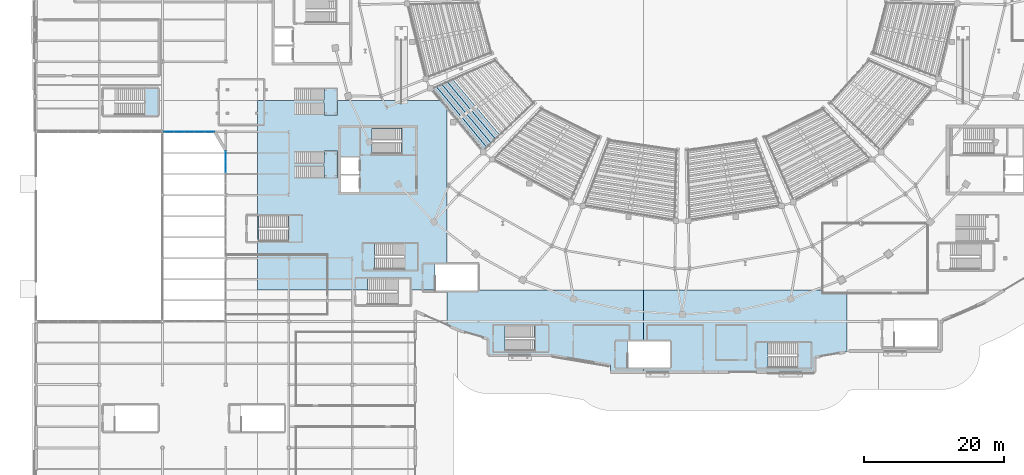
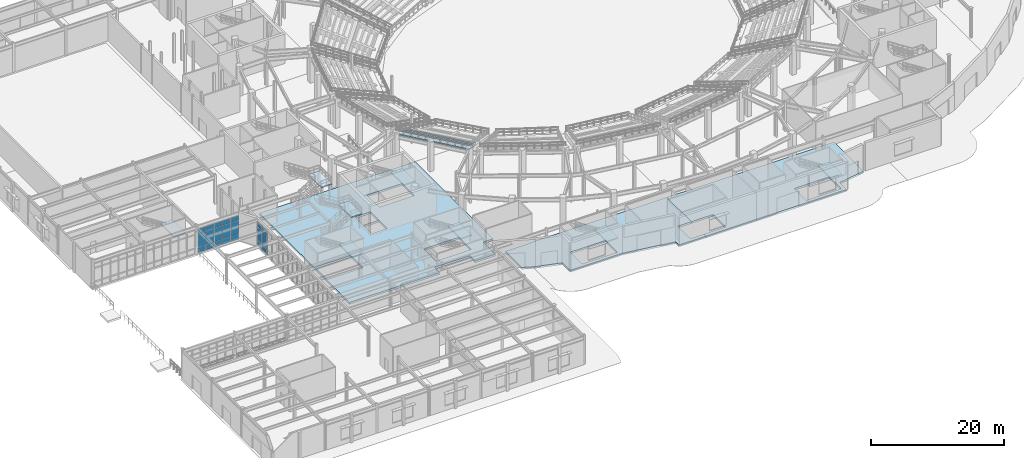
# One storey, part 42 of 79: 21 plates, 15 slabs, 10 elements without a shape of their own.
"""IFC4 building model written with IfcOpenShell, lengths in metres."""

import ifcopenshell
import ifcopenshell.guid

model = None  # the IFC model being written
_history = None  # IfcOwnerHistory: only IFC2X3 demands one
_inside = {}  # id of a spatial element -> (the spatial element, [elements in it])
_under = {}  # id of a project, library or spatial element -> (it, [spatial elements below it])
_declared = {}  # id of a project -> (the project, [libraries it declares])
_typed = {}  # id of a type object -> (the type object, [elements of that type])
_made_of = {}  # id of a material, layer set ... -> (it, [elements and type objects made of it])


def new_model(schema):
    """Start an empty IFC model of exactly this schema.

    Asked for "IFC4X3", IfcOpenShell would pick the latest addendum, in which some entities
    have other attributes; the version numbers below select the first issue.
    IFC2X3 requires an IfcOwnerHistory on every rooted entity: one is made here for all.
    """
    global model, _history
    if schema == "IFC4X3":
        model = ifcopenshell.file(schema_version=(4, 3, 0, 0))
    else:
        model = ifcopenshell.file(schema=schema)
    _inside.clear()
    _under.clear()
    _declared.clear()
    _typed.clear()
    _made_of.clear()
    _history = None
    if model.schema == "IFC2X3":
        org = make("IfcOrganization", Name="unknown")
        user = make(
            "IfcPersonAndOrganization",
            ThePerson=make("IfcPerson", FamilyName="unknown"),
            TheOrganization=org,
        )
        app = make(
            "IfcApplication",
            ApplicationDeveloper=org,
            Version="unknown",
            ApplicationFullName="unknown",
            ApplicationIdentifier="unknown",
        )
        _history = make(
            "IfcOwnerHistory",
            OwningUser=user,
            OwningApplication=app,
            ChangeAction="ADDED",
            CreationDate=0,
        )
    return model


def make(cls, **values):
    """One entity of the class cls with the attributes given. An attribute that is None is left unset."""
    return model.create_entity(
        cls, **{name: value for name, value in values.items() if value is not None}
    )


def rooted(cls, **values):
    """An entity with a GlobalId (a new one), such as an element, a storey or a relation."""
    return make(cls, GlobalId=ifcopenshell.guid.new(), OwnerHistory=_history, **values)


def si_unit(unit_type, name, prefix=None):
    """IfcSIUnit, for example si_unit("LENGTHUNIT", "METRE", prefix="MILLI")."""
    return make("IfcSIUnit", UnitType=unit_type, Prefix=prefix, Name=name)


def assignment(units):
    """IfcUnitAssignment: the units of a project."""
    return None if units is None else make("IfcUnitAssignment", Units=units)


def point(xyz):
    """IfcCartesianPoint."""
    return None if xyz is None else make("IfcCartesianPoint", Coordinates=xyz)


def direction(xyz):
    """IfcDirection."""
    return None if xyz is None else make("IfcDirection", DirectionRatios=xyz)


def frame(location, z_axis=None, x_axis=None):
    """IfcAxis2Placement3D, a coordinate frame: its origin and axes. An axis left out is left unset."""
    return make(
        "IfcAxis2Placement3D",
        Location=point(location),
        Axis=direction(z_axis),
        RefDirection=direction(x_axis),
    )


def frame_2d(location, x_axis=None):
    """IfcAxis2Placement2D, a coordinate frame in the plane: its origin and x axis."""
    return make(
        "IfcAxis2Placement2D", Location=point(location), RefDirection=direction(x_axis)
    )


def origin():
    """The frame at (0, 0, 0) with its axes left unset."""
    return frame((0.0, 0.0, 0.0))


def origin_2d():
    """The frame at (0, 0) in the plane with its x axis left unset."""
    return frame_2d((0.0, 0.0))


def place(relative_to, where):
    """IfcLocalPlacement: puts the frame where relative to a parent placement (None: the world)."""
    return make(
        "IfcLocalPlacement", PlacementRelTo=relative_to, RelativePlacement=where
    )


def context(
    kind, dimensions, precision=None, world=None, true_north=None, identifier=None
):
    """IfcGeometricRepresentationContext, for example the 3D "Model" context."""
    return make(
        "IfcGeometricRepresentationContext",
        ContextIdentifier=identifier,
        ContextType=kind,
        CoordinateSpaceDimension=dimensions,
        Precision=precision,
        WorldCoordinateSystem=world,
        TrueNorth=true_north,
    )


def subcontext(parent, identifier, kind, view, scale=None):
    """IfcGeometricRepresentationSubContext, for example "Body" below "Model"."""
    return make(
        "IfcGeometricRepresentationSubContext",
        ContextIdentifier=identifier,
        ContextType=kind,
        ParentContext=parent,
        TargetScale=scale,
        TargetView=view,
    )


def project(units=None, contexts=None):
    """IfcProject with its units and contexts."""
    return rooted(
        "IfcProject",
        Name="project",
        RepresentationContexts=contexts,
        UnitsInContext=assignment(units),
    )


def spatial(cls, under=None, at=None, **own):
    """A site, building, storey or space (cls), placed at a placement, below another one or the project."""
    s = rooted(cls, ObjectPlacement=at, **own)
    if under is not None:
        _under.setdefault(under.id(), (under, []))[1].append(s)
    return s


def polyline(points):
    """IfcPolyline through the points."""
    return make("IfcPolyline", Points=[point(p) for p in points])


def profile(cls, at=None, kind="AREA", **sizes):
    """A parametric profile (cls). Its sizes go by their IFC names, for example OverallWidth=200.0."""
    return make(cls, ProfileType=kind, Position=at, **sizes)


def rectangle(**sizes):
    """IfcRectangleProfileDef."""
    return profile("IfcRectangleProfileDef", **sizes)


def outline(outer, holes=None, kind="AREA"):
    """IfcArbitraryClosedProfileDef: a profile drawn as a closed curve; with holes, ...WithVoids."""
    if holes is None:
        return make("IfcArbitraryClosedProfileDef", ProfileType=kind, OuterCurve=outer)
    return make(
        "IfcArbitraryProfileDefWithVoids",
        ProfileType=kind,
        OuterCurve=outer,
        InnerCurves=holes,
    )


def extrude(swept, where, along, depth):
    """IfcExtrudedAreaSolid: the profile swept, set in the frame where, extruded along a direction by depth."""
    return make(
        "IfcExtrudedAreaSolid",
        SweptArea=swept,
        Position=where,
        ExtrudedDirection=direction(along),
        Depth=depth,
    )


def shape(context_of_items, identifier, shape_type, items):
    """IfcShapeRepresentation: the items that make up one representation, for example the "Body"."""
    return make(
        "IfcShapeRepresentation",
        ContextOfItems=context_of_items,
        RepresentationIdentifier=identifier,
        RepresentationType=shape_type,
        Items=items,
    )


def material(Name=None, Category=None):
    """IfcMaterial."""
    return make("IfcMaterial", Name=Name, Category=Category)


def layer(
    of_material, thickness, ventilated=None, Name=None, Category=None, Priority=None
):
    """IfcMaterialLayer: one layer of a wall or slab, of a material (None: an air gap)."""
    return make(
        "IfcMaterialLayer",
        Material=of_material,
        LayerThickness=thickness,
        IsVentilated=ventilated,
        Name=Name,
        Category=Category,
        Priority=Priority,
    )


def layer_set(layers, Name=None):
    """IfcMaterialLayerSet."""
    return make("IfcMaterialLayerSet", MaterialLayers=layers, LayerSetName=Name)


def made_of(thing, what):
    """Note that an element or type object is made of a material, layer set ...; save() writes the relation."""
    if what is not None:
        _made_of.setdefault(what.id(), (what, []))[1].append(thing)
    return thing


def type_object(cls, material=None, **own):
    """A type object (cls), such as IfcWallType, which elements share."""
    return made_of(rooted(cls, **own), material)


def element(
    cls,
    number,
    at=None,
    inside=None,
    cuts=None,
    type_object=None,
    material=None,
    context=None,
    identifier="Body",
    shape_type=None,
    held_by="IfcProductDefinitionShape",
    body=None,
    shapes=None,
    **own,
):
    """One element of the class cls, such as IfcWall. Its Tag is "e" and its number.

    at: its placement. inside: the storey or other place that contains it. cuts: it is an
    opening in that element (IfcRelVoidsElement). A single representation is given by context,
    identifier, shape_type and body (its items); several are given by shapes. held_by: the class
    of the entity that holds the representations. save() writes the other relations.
    """
    e = rooted(cls, Tag="e%d" % number, ObjectPlacement=at, **own)
    if body is not None:
        shapes = [shape(context, identifier, shape_type, body)]
    if shapes is not None:
        e.Representation = make(held_by, Representations=shapes)
    if inside is not None:
        _inside.setdefault(inside.id(), (inside, []))[1].append(e)
    if cuts is not None:
        rooted(
            "IfcRelVoidsElement", RelatingBuildingElement=cuts, RelatedOpeningElement=e
        )
    if type_object is not None:
        _typed.setdefault(type_object.id(), (type_object, []))[1].append(e)
    return made_of(e, material)


def aggregate(whole, parts):
    """IfcRelAggregates: a whole, such as a stair, and the parts it consists of."""
    return rooted("IfcRelAggregates", RelatingObject=whole, RelatedObjects=parts)


def save(model, path):
    """Write the relations noted so far, then the file.

    IfcRelAggregates (storeys below a building ...), IfcRelContainedInSpatialStructure (elements
    in a storey), IfcRelDefinesByType, IfcRelAssociatesMaterial and IfcRelDeclares: one each for
    every whole, place, type object, material and project.
    """
    for whole, parts in _under.values():
        aggregate(whole, parts)
    for where, things in _inside.values():
        rooted(
            "IfcRelContainedInSpatialStructure",
            RelatedElements=things,
            RelatingStructure=where,
        )
    for kind, things in _typed.values():
        rooted("IfcRelDefinesByType", RelatedObjects=things, RelatingType=kind)
    for what, things in _made_of.values():
        rooted("IfcRelAssociatesMaterial", RelatedObjects=things, RelatingMaterial=what)
    for by, libraries in _declared.values():
        rooted("IfcRelDeclares", RelatingContext=by, RelatedDefinitions=libraries)
    model.write(path)


model = new_model("IFC4")

# Units and contexts
model_context = context("Model", 3, precision=1e-05, world=origin(), true_north=direction((0.0, 1.0)))
body_context = subcontext(model_context, "Body", "Model", "MODEL_VIEW")
ifc_project = project(units=[si_unit("LENGTHUNIT", "METRE"), si_unit("AREAUNIT", "SQUARE_METRE"), si_unit("VOLUMEUNIT", "CUBIC_METRE"), si_unit("PLANEANGLEUNIT", "RADIAN"), si_unit("MASSUNIT", "GRAM", prefix="KILO")], contexts=[model_context])

# Site, building, storey
site_placement = place(None, origin())
site = spatial("IfcSite", under=ifc_project, at=site_placement, CompositionType="ELEMENT")
building_placement = place(site_placement, origin())
building = spatial("IfcBuilding", under=site, at=building_placement, Name="Glasvene Arena", CompositionType="ELEMENT")
storey_placement = place(building_placement, origin())
storey = spatial("IfcBuildingStorey", under=building, at=storey_placement, Name="L00", CompositionType="ELEMENT", Elevation=0.0)

# Curtain wall, plates
ifc_material_1 = material(Name="Low-emissivity laminated double glazing", Category="glass")
curtain_wall_type_1 = type_object("IfcCurtainWallType", Name="CW-FAC-L00-715x445", PredefinedType="USERDEFINED", material=ifc_material_1)
curtain_wall_1_placement = place(storey_placement, frame((25.379638671875, 54.0, 0.0)))
curtain_wall_1 = element("IfcCurtainWall", 1, at=curtain_wall_1_placement, inside=storey, type_object=curtain_wall_type_1, Name="Unitised curtain wall CW-F-L00-180-218-540-1", ObjectType="CURTAIN WALL", PredefinedType="USERDEFINED")
ifc_layer_1 = layer(ifc_material_1, 0.028076171875)
ifc_layer_set_1 = layer_set([ifc_layer_1], Name="Low-emissivity laminated double glazing")
plate_type = type_object("IfcPlateType", Name="CW-GLZ-28", PredefinedType="CURTAIN_PANEL", material=ifc_layer_set_1)
plate_1_placement = place(storey_placement, frame((24.65185546875, 54.0, 0.10986328125), z_axis=(0.0, 0.0, 1.0), x_axis=(-1.0, 0.0, 0.0)))
plate_1 = element("IfcPlate", 2, at=plate_1_placement, type_object=plate_type, Name="CW-001 panel 1.1", PredefinedType="CURTAIN_PANEL", context=body_context, shape_type="SweptSolid", body=[
    extrude(rectangle(XDim=1.355224609375, YDim=0.028076171875, at=origin_2d()), origin(), (0.0, 0.0, 1.0), 0.965087890625),
])
plate_2_placement = place(storey_placement, frame((24.65185546875, 54.0, 1.125), z_axis=(0.0, 0.0, 1.0), x_axis=(-1.0, 0.0, 0.0)))
plate_2 = element("IfcPlate", 3, at=plate_2_placement, type_object=plate_type, Name="CW-001 panel 1.2", PredefinedType="CURTAIN_PANEL", context=body_context, shape_type="SweptSolid", body=[
    extrude(rectangle(XDim=1.355224609375, YDim=0.028076171875, at=origin_2d()), origin(), (0.0, 0.0, 1.0), 2.45703125),
])
plate_3_placement = place(storey_placement, frame((24.65185546875, 54.0, 3.6318359375), z_axis=(0.0, 0.0, 1.0), x_axis=(-1.0, 0.0, 0.0)))
plate_3 = element("IfcPlate", 4, at=plate_3_placement, type_object=plate_type, Name="CW-001 panel 1.3", PredefinedType="CURTAIN_PANEL", context=body_context, shape_type="SweptSolid", body=[
    extrude(rectangle(XDim=1.355224609375, YDim=0.028076171875, at=origin_2d()), origin(), (0.0, 0.0, 1.0), 0.824951171875),
])
plate_4_placement = place(storey_placement, frame((23.234130859375, 54.0, 0.10986328125), z_axis=(0.0, 0.0, 1.0), x_axis=(-1.0, 0.0, 0.0)))
plate_4 = element("IfcPlate", 5, at=plate_4_placement, type_object=plate_type, Name="CW-001 panel 2.1", PredefinedType="CURTAIN_PANEL", context=body_context, shape_type="SweptSolid", body=[
    extrude(rectangle(XDim=1.38037109375, YDim=0.028076171875, at=origin_2d()), origin(), (0.0, 0.0, 1.0), 0.965087890625),
])
plate_5_placement = place(storey_placement, frame((23.234130859375, 54.0, 1.125), z_axis=(0.0, 0.0, 1.0), x_axis=(-1.0, 0.0, 0.0)))
plate_5 = element("IfcPlate", 6, at=plate_5_placement, type_object=plate_type, Name="CW-001 panel 2.2", PredefinedType="CURTAIN_PANEL", context=body_context, shape_type="SweptSolid", body=[
    extrude(rectangle(XDim=1.38037109375, YDim=0.028076171875, at=origin_2d()), origin(), (0.0, 0.0, 1.0), 2.45703125),
])
plate_6_placement = place(storey_placement, frame((23.234130859375, 54.0, 3.6318359375), z_axis=(0.0, 0.0, 1.0), x_axis=(-1.0, 0.0, 0.0)))
plate_6 = element("IfcPlate", 7, at=plate_6_placement, type_object=plate_type, Name="CW-001 panel 2.3", PredefinedType="CURTAIN_PANEL", context=body_context, shape_type="SweptSolid", body=[
    extrude(rectangle(XDim=1.38037109375, YDim=0.028076171875, at=origin_2d()), origin(), (0.0, 0.0, 1.0), 0.824951171875),
])
plate_7_placement = place(storey_placement, frame((21.803955078125, 54.0, 0.10986328125), z_axis=(0.0, 0.0, 1.0), x_axis=(-1.0, 0.0, 0.0)))
plate_7 = element("IfcPlate", 8, at=plate_7_placement, type_object=plate_type, Name="CW-001 panel 3.1", PredefinedType="CURTAIN_PANEL", context=body_context, shape_type="SweptSolid", body=[
    extrude(rectangle(XDim=1.38037109375, YDim=0.028076171875, at=origin_2d()), origin(), (0.0, 0.0, 1.0), 0.965087890625),
])
plate_8_placement = place(storey_placement, frame((21.803955078125, 54.0, 1.125), z_axis=(0.0, 0.0, 1.0), x_axis=(-1.0, 0.0, 0.0)))
plate_8 = element("IfcPlate", 9, at=plate_8_placement, type_object=plate_type, Name="CW-001 panel 3.2", PredefinedType="CURTAIN_PANEL", context=body_context, shape_type="SweptSolid", body=[
    extrude(rectangle(XDim=1.38037109375, YDim=0.028076171875, at=origin_2d()), origin(), (0.0, 0.0, 1.0), 2.45703125),
])
plate_9_placement = place(storey_placement, frame((21.803955078125, 54.0, 3.6318359375), z_axis=(0.0, 0.0, 1.0), x_axis=(-1.0, 0.0, 0.0)))
plate_9 = element("IfcPlate", 10, at=plate_9_placement, type_object=plate_type, Name="CW-001 panel 3.3", PredefinedType="CURTAIN_PANEL", context=body_context, shape_type="SweptSolid", body=[
    extrude(rectangle(XDim=1.38037109375, YDim=0.028076171875, at=origin_2d()), origin(), (0.0, 0.0, 1.0), 0.824951171875),
])
plate_10_placement = place(storey_placement, frame((20.373779296875, 54.0, 0.10986328125), z_axis=(0.0, 0.0, 1.0), x_axis=(-1.0, 0.0, 0.0)))
plate_10 = element("IfcPlate", 11, at=plate_10_placement, type_object=plate_type, Name="CW-001 panel 4.1", PredefinedType="CURTAIN_PANEL", context=body_context, shape_type="SweptSolid", body=[
    extrude(rectangle(XDim=1.38037109375, YDim=0.028076171875, at=origin_2d()), origin(), (0.0, 0.0, 1.0), 0.965087890625),
])
plate_11_placement = place(storey_placement, frame((20.373779296875, 54.0, 1.125), z_axis=(0.0, 0.0, 1.0), x_axis=(-1.0, 0.0, 0.0)))
plate_11 = element("IfcPlate", 12, at=plate_11_placement, type_object=plate_type, Name="CW-001 panel 4.2", PredefinedType="CURTAIN_PANEL", context=body_context, shape_type="SweptSolid", body=[
    extrude(rectangle(XDim=1.38037109375, YDim=0.028076171875, at=origin_2d()), origin(), (0.0, 0.0, 1.0), 2.45703125),
])
plate_12_placement = place(storey_placement, frame((20.373779296875, 54.0, 3.6318359375), z_axis=(0.0, 0.0, 1.0), x_axis=(-1.0, 0.0, 0.0)))
plate_12 = element("IfcPlate", 13, at=plate_12_placement, type_object=plate_type, Name="CW-001 panel 4.3", PredefinedType="CURTAIN_PANEL", context=body_context, shape_type="SweptSolid", body=[
    extrude(rectangle(XDim=1.38037109375, YDim=0.028076171875, at=origin_2d()), origin(), (0.0, 0.0, 1.0), 0.824951171875),
])
plate_13_placement = place(storey_placement, frame((18.955810546875, 54.0, 0.10986328125), z_axis=(0.0, 0.0, 1.0), x_axis=(-1.0, 0.0, 0.0)))
plate_13 = element("IfcPlate", 14, at=plate_13_placement, type_object=plate_type, Name="CW-001 panel 5.1", PredefinedType="CURTAIN_PANEL", context=body_context, shape_type="SweptSolid", body=[
    extrude(rectangle(XDim=1.355224609375, YDim=0.028076171875, at=origin_2d()), origin(), (0.0, 0.0, 1.0), 0.965087890625),
])
plate_14_placement = place(storey_placement, frame((18.955810546875, 54.0, 1.125), z_axis=(0.0, 0.0, 1.0), x_axis=(-1.0, 0.0, 0.0)))
plate_14 = element("IfcPlate", 15, at=plate_14_placement, type_object=plate_type, Name="CW-001 panel 5.2", PredefinedType="CURTAIN_PANEL", context=body_context, shape_type="SweptSolid", body=[
    extrude(rectangle(XDim=1.355224609375, YDim=0.028076171875, at=origin_2d()), origin(), (0.0, 0.0, 1.0), 2.45703125),
])
plate_15_placement = place(storey_placement, frame((18.955810546875, 54.0, 3.6318359375), z_axis=(0.0, 0.0, 1.0), x_axis=(-1.0, 0.0, 0.0)))
plate_15 = element("IfcPlate", 16, at=plate_15_placement, type_object=plate_type, Name="CW-001 panel 5.3", PredefinedType="CURTAIN_PANEL", context=body_context, shape_type="SweptSolid", body=[
    extrude(rectangle(XDim=1.355224609375, YDim=0.028076171875, at=origin_2d()), origin(), (0.0, 0.0, 1.0), 0.824951171875),
])
aggregate(curtain_wall_1, [plate_1, plate_2, plate_3, plate_4, plate_5, plate_6, plate_7, plate_8, plate_9, plate_10, plate_11, plate_12, plate_13, plate_14, plate_15])

curtain_wall_type_2 = type_object("IfcCurtainWallType", Name="CW-FAC-L00-603x445", PredefinedType="USERDEFINED", material=ifc_material_1)
curtain_wall_2_placement = place(storey_placement, frame((27.0, 45.22607421875, 0.0)))
curtain_wall_2 = element("IfcCurtainWall", 17, at=curtain_wall_2_placement, inside=storey, type_object=curtain_wall_type_2, Name="Unitised curtain wall CW-F-L00-180-270-482-83", ObjectType="CURTAIN WALL", PredefinedType="USERDEFINED")
plate_16_placement = place(storey_placement, frame((27.0, 48.9970703125, 0.10986328125), z_axis=(0.0, 0.0, 1.0), x_axis=(0.0, 1.0, 0.0)))
plate_16 = element("IfcPlate", 18, at=plate_16_placement, type_object=plate_type, Name="CW-006 panel 3.1", PredefinedType="CURTAIN_PANEL", context=body_context, shape_type="SweptSolid", body=[
    extrude(rectangle(XDim=1.45849609375, YDim=0.028076171875, at=origin_2d()), origin(), (0.0, 0.0, 1.0), 0.965087890625),
])
plate_17_placement = place(storey_placement, frame((27.0, 48.9970703125, 1.125), z_axis=(0.0, 0.0, 1.0), x_axis=(0.0, 1.0, 0.0)))
plate_17 = element("IfcPlate", 19, at=plate_17_placement, type_object=plate_type, Name="CW-006 panel 3.2", PredefinedType="CURTAIN_PANEL", context=body_context, shape_type="SweptSolid", body=[
    extrude(rectangle(XDim=1.45849609375, YDim=0.028076171875, at=origin_2d()), origin(), (0.0, 0.0, 1.0), 2.45703125),
])
plate_18_placement = place(storey_placement, frame((27.0, 48.9970703125, 3.6318359375), z_axis=(0.0, 0.0, 1.0), x_axis=(0.0, 1.0, 0.0)))
plate_18 = element("IfcPlate", 20, at=plate_18_placement, type_object=plate_type, Name="CW-006 panel 3.3", PredefinedType="CURTAIN_PANEL", context=body_context, shape_type="SweptSolid", body=[
    extrude(rectangle(XDim=1.45849609375, YDim=0.028076171875, at=origin_2d()), origin(), (0.0, 0.0, 1.0), 0.824951171875),
])
plate_19_placement = place(storey_placement, frame((27.0, 50.492919921875, 0.10986328125), z_axis=(0.0, 0.0, 1.0), x_axis=(0.0, 1.0, 0.0)))
plate_19 = element("IfcPlate", 21, at=plate_19_placement, type_object=plate_type, Name="CW-006 panel 4.1", PredefinedType="CURTAIN_PANEL", context=body_context, shape_type="SweptSolid", body=[
    extrude(rectangle(XDim=1.433349609375, YDim=0.028076171875, at=origin_2d()), origin(), (0.0, 0.0, 1.0), 0.965087890625),
])
plate_20_placement = place(storey_placement, frame((27.0, 50.492919921875, 1.125), z_axis=(0.0, 0.0, 1.0), x_axis=(0.0, 1.0, 0.0)))
plate_20 = element("IfcPlate", 22, at=plate_20_placement, type_object=plate_type, Name="CW-006 panel 4.2", PredefinedType="CURTAIN_PANEL", context=body_context, shape_type="SweptSolid", body=[
    extrude(rectangle(XDim=1.433349609375, YDim=0.028076171875, at=origin_2d()), origin(), (0.0, 0.0, 1.0), 2.45703125),
])
plate_21_placement = place(storey_placement, frame((27.0, 50.492919921875, 3.6318359375), z_axis=(0.0, 0.0, 1.0), x_axis=(0.0, 1.0, 0.0)))
plate_21 = element("IfcPlate", 23, at=plate_21_placement, type_object=plate_type, Name="CW-006 panel 4.3", PredefinedType="CURTAIN_PANEL", context=body_context, shape_type="SweptSolid", body=[
    extrude(rectangle(XDim=1.433349609375, YDim=0.028076171875, at=origin_2d()), origin(), (0.0, 0.0, 1.0), 0.824951171875),
])
aggregate(curtain_wall_2, [plate_16, plate_17, plate_18, plate_19, plate_20, plate_21])

# Slabs
ifc_material_2 = material(Name="Concrete C40/50", Category="concrete")
ifc_layer_2 = layer(ifc_material_2, 0.360107421875)
ifc_layer_set_2 = layer_set([ifc_layer_2], Name="Concrete C40/50")
slab_type_1 = type_object("IfcSlabType", Name="SL-L00-360", PredefinedType="FLOOR", material=ifc_layer_set_2)
slab_1_placement = place(storey_placement, frame((74.419189453125, 24.5390625, -0.360107421875)))
element("IfcSlab", 24, at=slab_1_placement, inside=storey, type_object=slab_type_1, Name="Structural floor slab L00 sector 1-3 (18)", PredefinedType="FLOOR", context=body_context, shape_type="SweptSolid", body=[
    extrude(outline(polyline([(7.380859375, -3.765380859375), (7.341064453125, -3.76318359375), (-1.03955078125, -2.339111328125), (-10.019287109375, -2.339111328125), (-10.019287109375, -0.02490234375), (-14.038330078125, 1.1533203125), (-15.919189453125, 1.968994140625), (-15.919189453125, 6.86083984375), (-11.519287109375, 6.86083984375), (-11.519287109375, 6.9609375), (12.080810546875, 6.9609375), (12.080810546875, -0.38916015625), (9.78271484375, -0.38916015625), (9.78271484375, -4.13916015625), (12.080810546875, -4.13916015625), (12.080810546875, -4.739013671875), (7.380859375, -4.739013671875), (7.380859375, -3.765380859375)]), holes=[polyline([(-1.519287109375, -1.739013671875), (-1.519287109375, 1.81103515625), (-7.6171875, 1.81103515625), (-7.6171875, -1.739013671875), (-1.519287109375, -1.739013671875)])]), origin(), (0.0, 0.0, 1.0), 0.360107421875),
])
slab_2_placement = place(storey_placement, frame((99.50927734375, 23.54296875, -0.360107421875)))
element("IfcSlab", 25, at=slab_2_placement, inside=storey, type_object=slab_type_1, Name="Structural floor slab L00 sector 1-4 (19)", PredefinedType="FLOOR", context=body_context, shape_type="SweptSolid", body=[
    extrude(outline(polyline([(11.390625, -1.63525390625), (11.390625, -3.742919921875), (-13.00927734375, -3.742919921875), (-13.00927734375, -3.14306640625), (-9.209228515625, -3.14306640625), (-9.209228515625, 0.60693359375), (-13.00927734375, 0.60693359375), (-13.00927734375, 7.95703125), (15.99072265625, 7.95703125), (15.99072265625, -0.817138671875), (15.693603515625, -0.904052734375), (11.390625, -1.63525390625)]), holes=[polyline([(10.790771484375, -3.14306640625), (10.790771484375, 0.406982421875), (4.692626953125, 0.406982421875), (4.692626953125, -3.14306640625), (10.790771484375, -3.14306640625)])]), origin(), (0.0, 0.0, 1.0), 0.360107421875),
])
slab_3_placement = place(storey_placement, frame((49.460693359375, 37.93994140625, -0.360107421875)))
element("IfcSlab", 26, at=slab_3_placement, inside=storey, type_object=slab_type_1, Name="Structural floor slab L00 sector 2-2 (22)", PredefinedType="FLOOR", context=body_context, shape_type="SweptSolid", body=[
    extrude(outline(polyline([(-17.960693359375, 20.56005859375), (9.039306640625, 20.56005859375), (9.039306640625, -2.7900390625), (7.34130859375, -2.7900390625), (7.34130859375, -6.43994140625), (3.83935546875, -6.43994140625), (3.83935546875, -4.889892578125), (-2.2587890625, -4.889892578125), (-2.2587890625, -6.43994140625), (-17.960693359375, -6.43994140625), (-17.960693359375, 20.56005859375)]), holes=[polyline([(4.83935546875, -3.5400390625), (4.83935546875, 0.110107421875), (-1.2587890625, 0.110107421875), (-1.2587890625, -3.5400390625), (4.83935546875, -3.5400390625)]), polyline([(-11.66064453125, 0.4599609375), (-11.66064453125, 4.110107421875), (-17.7587890625, 4.110107421875), (-17.7587890625, 0.4599609375), (-11.66064453125, 0.4599609375)]), polyline([(-3.360595703125, 7.510009765625), (-3.360595703125, 9.9599609375), (-6.0107421875, 9.9599609375), (-6.0107421875, 7.510009765625), (-3.360595703125, 7.510009765625)]), polyline([(-6.0107421875, 10.06005859375), (-3.360595703125, 10.06005859375), (-3.360595703125, 12.510009765625), (-6.0107421875, 12.510009765625), (-6.0107421875, 10.06005859375)]), polyline([(-1.608642578125, 12.91015625), (4.4892578125, 12.91015625), (4.4892578125, 16.56005859375), (-1.608642578125, 16.56005859375), (-1.608642578125, 12.91015625)])]), origin(), (0.0, 0.0, 1.0), 0.360107421875),
])

# Stair, slab
stair_type_1 = type_object("IfcStairType", Name="ST-HT-540-170", PredefinedType="HALF_TURN_STAIR", material=ifc_material_2)
stair_1_placement = place(storey_placement, origin())
stair_1 = element("IfcStair", 27, at=stair_1_placement, inside=storey, type_object=stair_type_1, Name="Protected escape stair ST-03 (L00 to L01)", PredefinedType="HALF_TURN_STAIR")
ifc_layer_3 = layer(ifc_material_2, 0.219970703125)
ifc_layer_set_3 = layer_set([ifc_layer_3], Name="Concrete C40/50")
slab_type_2 = type_object("IfcSlabType", Name="SL-LAND-220", PredefinedType="LANDING", material=ifc_layer_set_3)
slab_4_placement = place(storey_placement, frame((53.050048828125, 52.675048828125, 2.47998046875)))
slab_4 = element("IfcSlab", 28, at=slab_4_placement, type_object=slab_type_2, Name="Protected escape stair ST-03 (L00 to L01) landing 1", PredefinedType="LANDING", context=body_context, shape_type="SweptSolid", body=[
    extrude(outline(polyline([(-1.0, -1.925048828125), (1.0, -1.925048828125), (1.0, 1.925048828125), (-1.0, 1.925048828125), (-1.0, -1.925048828125)])), origin(), (0.0, 0.0, 1.0), 0.219970703125),
])
aggregate(stair_1, [slab_4])

stair_2_placement = place(storey_placement, origin())
stair_2 = element("IfcStair", 29, at=stair_2_placement, inside=storey, type_object=stair_type_1, Name="Protected escape stair ST-05 (L00 to L01)", PredefinedType="HALF_TURN_STAIR")
slab_5_placement = place(storey_placement, frame((53.39990234375, 36.22509765625, 2.47998046875)))
slab_5 = element("IfcSlab", 30, at=slab_5_placement, type_object=slab_type_2, Name="Protected escape stair ST-05 (L00 to L01) landing 1", PredefinedType="LANDING", context=body_context, shape_type="SweptSolid", body=[
    extrude(outline(polyline([(-1.0, -1.925048828125), (1.0, -1.925048828125), (1.0, 1.9248046875), (-1.0, 1.9248046875), (-1.0, -1.925048828125)])), origin(), (0.0, 0.0, 1.0), 0.219970703125),
])
aggregate(stair_2, [slab_5])

stair_type_2 = type_object("IfcStairType", Name="ST-HT-540-165", PredefinedType="HALF_TURN_STAIR", material=ifc_material_2)
stair_3_placement = place(storey_placement, origin())
stair_3 = element("IfcStair", 31, at=stair_3_placement, inside=storey, type_object=stair_type_2, Name="Protected escape stair ST-08 (L00 to L01)", PredefinedType="HALF_TURN_STAIR")
slab_6_placement = place(storey_placement, frame((72.0, 24.574951171875, 2.47998046875)))
slab_6 = element("IfcSlab", 32, at=slab_6_placement, type_object=slab_type_2, Name="Protected escape stair ST-08 (L00 to L01) landing 1", PredefinedType="LANDING", context=body_context, shape_type="SweptSolid", body=[
    extrude(outline(polyline([(-1.0, -1.875), (1.0, -1.875), (1.0, 1.875), (-1.0, 1.875), (-1.0, -1.875)])), origin(), (0.0, 0.0, 1.0), 0.219970703125),
])
aggregate(stair_3, [slab_6])

stair_4_placement = place(storey_placement, origin())
stair_4 = element("IfcStair", 33, at=stair_4_placement, inside=storey, type_object=stair_type_2, Name="Protected escape stair ST-09 (L00 to L01)", PredefinedType="HALF_TURN_STAIR")
slab_7_placement = place(storey_placement, frame((109.39990234375, 22.175048828125, 2.47998046875)))
slab_7 = element("IfcSlab", 34, at=slab_7_placement, type_object=slab_type_2, Name="Protected escape stair ST-09 (L00 to L01) landing 1", PredefinedType="LANDING", context=body_context, shape_type="SweptSolid", body=[
    extrude(outline(polyline([(-1.0, -1.875), (1.0, -1.875), (1.0, 1.875), (-1.0, 1.875), (-1.0, -1.875)])), origin(), (0.0, 0.0, 1.0), 0.219970703125),
])
aggregate(stair_4, [slab_7])

stair_type_3 = type_object("IfcStairType", Name="ST-HT-540-175", PredefinedType="HALF_TURN_STAIR", material=ifc_material_2)
stair_5_placement = place(storey_placement, origin())
stair_5 = element("IfcStair", 35, at=stair_5_placement, inside=storey, type_object=stair_type_3, Name="Protected escape stair ST-13 (L00 to L01)", PredefinedType="HALF_TURN_STAIR")
slab_8_placement = place(storey_placement, frame((16.39990234375, 58.27490234375, 2.47998046875)))
slab_8 = element("IfcSlab", 36, at=slab_8_placement, type_object=slab_type_2, Name="Protected escape stair ST-13 (L00 to L01) landing 1", PredefinedType="LANDING", context=body_context, shape_type="SweptSolid", body=[
    extrude(outline(polyline([(-1.0, -1.974853515625), (1.0, -1.974853515625), (1.0, 1.97509765625), (-1.0, 1.97509765625), (-1.0, -1.974853515625)])), origin(), (0.0, 0.0, 1.0), 0.219970703125),
])
aggregate(stair_5, [slab_8])

stair_6_placement = place(storey_placement, origin())
stair_6 = element("IfcStair", 37, at=stair_6_placement, inside=storey, type_object=stair_type_1, Name="Protected escape stair ST-15 (L00 to L01)", PredefinedType="HALF_TURN_STAIR")
slab_9_placement = place(storey_placement, frame((36.89990234375, 40.22509765625, 2.47998046875)))
slab_9 = element("IfcSlab", 38, at=slab_9_placement, type_object=slab_type_2, Name="Protected escape stair ST-15 (L00 to L01) landing 1", PredefinedType="LANDING", context=body_context, shape_type="SweptSolid", body=[
    extrude(outline(polyline([(-1.0, -1.925048828125), (1.0, -1.925048828125), (1.0, 1.9248046875), (-1.0, 1.9248046875), (-1.0, -1.925048828125)])), origin(), (0.0, 0.0, 1.0), 0.219970703125),
])
aggregate(stair_6, [slab_9])

stair_type_4 = type_object("IfcStairType", Name="ST-HT-540-180", PredefinedType="HALF_TURN_STAIR", material=ifc_material_2)
stair_7_placement = place(storey_placement, origin())
stair_7 = element("IfcStair", 39, at=stair_7_placement, inside=storey, type_object=stair_type_4, Name="Vomitory Stair VOM-01 (L00 to L01)", PredefinedType="HALF_TURN_STAIR")
slab_10_placement = place(storey_placement, frame((41.949951171875, 49.324951171875, 2.47998046875)))
slab_10 = element("IfcSlab", 40, at=slab_10_placement, type_object=slab_type_2, Name="Vomitory Stair VOM-01 (L00 to L01) landing 1", PredefinedType="LANDING", context=body_context, shape_type="SweptSolid", body=[
    extrude(outline(polyline([(-0.949951171875, -1.925048828125), (0.949951171875, -1.925048828125), (0.949951171875, 1.925048828125), (-0.949951171875, 1.925048828125), (-0.949951171875, -1.925048828125)])), origin(), (0.0, 0.0, 1.0), 0.219970703125),
])
aggregate(stair_7, [slab_10])

stair_8_placement = place(storey_placement, origin())
stair_8 = element("IfcStair", 41, at=stair_8_placement, inside=storey, type_object=stair_type_4, Name="Vomitory Stair VOM-03 (L00 to L01)", PredefinedType="HALF_TURN_STAIR")
slab_11_placement = place(storey_placement, frame((41.949951171875, 58.324951171875, 2.47998046875)))
slab_11 = element("IfcSlab", 42, at=slab_11_placement, type_object=slab_type_2, Name="Vomitory Stair VOM-03 (L00 to L01) landing 1", PredefinedType="LANDING", context=body_context, shape_type="SweptSolid", body=[
    extrude(outline(polyline([(-0.949951171875, -1.925048828125), (0.949951171875, -1.925048828125), (0.949951171875, 1.925048828125), (-0.949951171875, 1.925048828125), (-0.949951171875, -1.925048828125)])), origin(), (0.0, 0.0, 1.0), 0.219970703125),
])
aggregate(stair_8, [slab_11])

# Slabs
ifc_material_3 = material(Name="Precast concrete C50/60", Category="concrete")
ifc_layer_4 = layer(ifc_material_3, 0.219970703125)
ifc_layer_set_4 = layer_set([ifc_layer_4], Name="Precast concrete C50/60")
slab_type_3 = type_object("IfcSlabType", Name="SL-TIER-LOW", PredefinedType="USERDEFINED", material=ifc_layer_set_4)
slab_12_placement = place(storey_placement, frame((62.3330078125, 57.28125, 3.580078125)))
element("IfcSlab", 43, at=slab_12_placement, inside=storey, type_object=slab_type_3, Name="Stand lower tier sector 10 row 09", ObjectType="SEATING TIER", PredefinedType="USERDEFINED", context=body_context, shape_type="SweptSolid", body=[
    extrude(outline(polyline([(-3.088623046875, 4.29833984375), (3.784912109375, -3.833251953125), (3.17041015625, -4.42041015625), (-3.8662109375, 3.95556640625), (-3.088623046875, 4.29833984375)])), origin(), (0.0, 0.0, 1.0), 0.219970703125),
])
slab_13_placement = place(storey_placement, frame((61.636962890625, 56.816162109375, 3.9599609375)))
element("IfcSlab", 44, at=slab_13_placement, inside=storey, type_object=slab_type_3, Name="Stand lower tier sector 10 row 10", ObjectType="SEATING TIER", PredefinedType="USERDEFINED", context=body_context, shape_type="SweptSolid", body=[
    extrude(outline(polyline([(-3.170166015625, 4.420654296875), (3.866455078125, -3.955322265625), (3.251708984375, -4.542724609375), (-3.947998046875, 4.077392578125), (-3.170166015625, 4.420654296875)])), origin(), (0.0, 0.0, 1.0), 0.219970703125),
])
slab_14_placement = place(storey_placement, frame((60.94091796875, 56.35107421875, 4.340087890625)))
element("IfcSlab", 45, at=slab_14_placement, inside=storey, type_object=slab_type_3, Name="Stand lower tier sector 10 row 11", ObjectType="SEATING TIER", PredefinedType="USERDEFINED", context=body_context, shape_type="SweptSolid", body=[
    extrude(outline(polyline([(-3.251953125, 4.54248046875), (3.94775390625, -4.07763671875), (3.333251953125, -4.664794921875), (-4.029541015625, 4.199462890625), (-3.251953125, 4.54248046875)])), origin(), (0.0, 0.0, 1.0), 0.219970703125),
])
slab_15_placement = place(storey_placement, frame((60.24462890625, 55.885986328125, 4.719970703125)))
element("IfcSlab", 46, at=slab_15_placement, inside=storey, type_object=slab_type_3, Name="Stand lower tier sector 10 row 12", ObjectType="SEATING TIER", PredefinedType="USERDEFINED", context=body_context, shape_type="SweptSolid", body=[
    extrude(outline(polyline([(-3.333251953125, 4.66455078125), (4.029541015625, -4.19970703125), (3.4150390625, -4.786865234375), (-4.111083984375, 4.321533203125), (-3.333251953125, 4.66455078125)])), origin(), (0.0, 0.0, 1.0), 0.219970703125),
])

save(model, "model.ifc")
